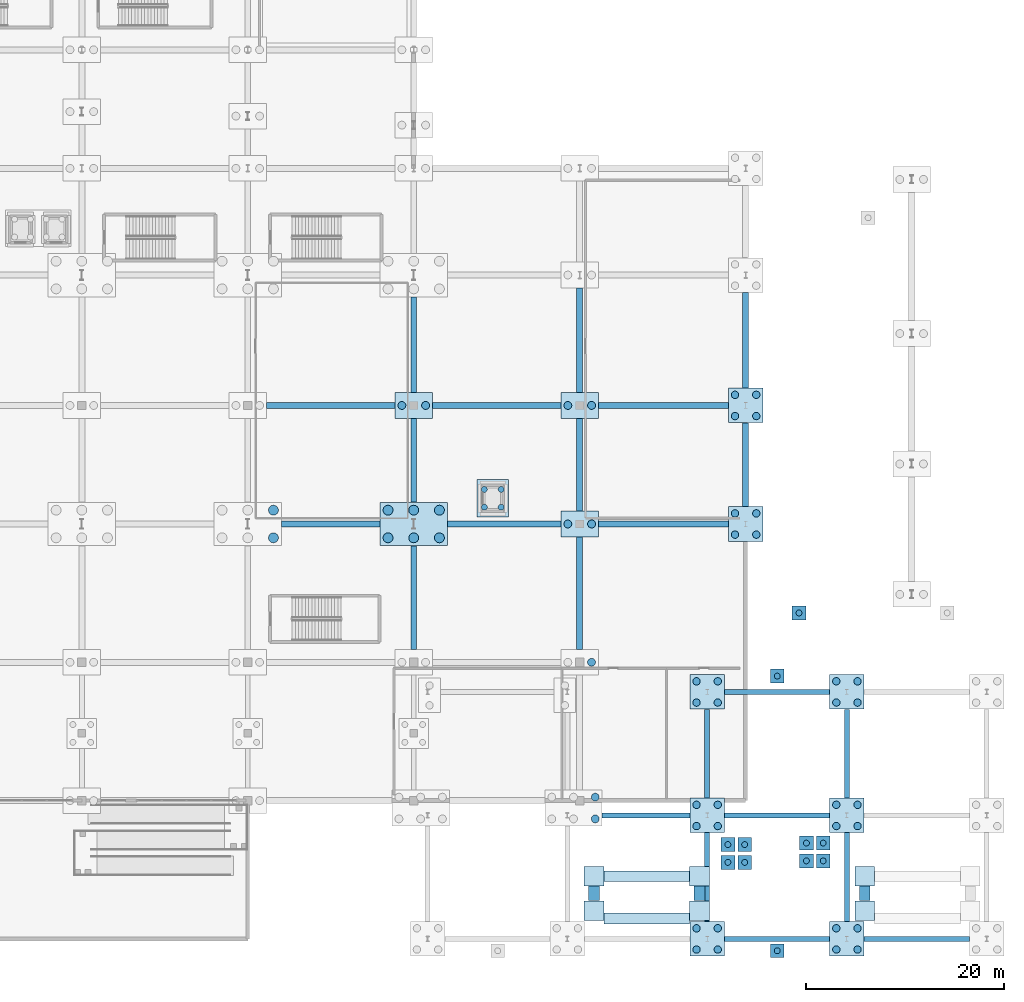
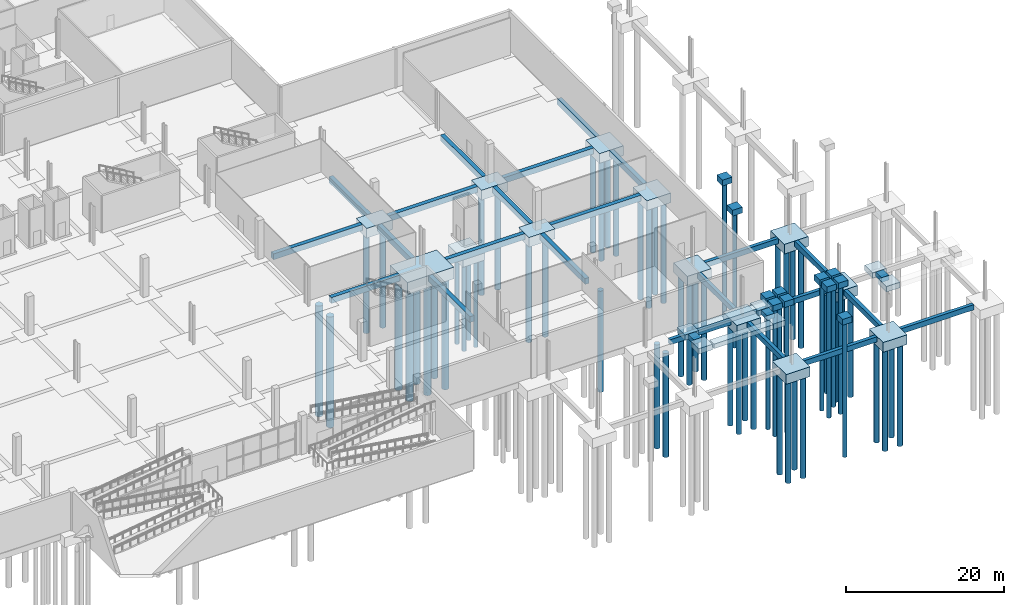
# One storey, part 6 of 46: 64 piles, 58 footings.
"""IFC4 building model written with IfcOpenShell, lengths in metres."""

from ifc_helpers import new_model, si_unit, direction, frame, origin, origin_2d, place, context, subcontext, project, spatial, rectangle, circle, extrude, material, material_profile, profile_set, type_object, element, save


model = new_model("IFC4")

# Units and contexts
model_context = context("Model", 3, precision=1e-05, world=origin(), true_north=direction((0.0, 1.0)))
body_context = subcontext(model_context, "Body", "Model", "MODEL_VIEW")
ifc_project = project(units=[si_unit("LENGTHUNIT", "METRE"), si_unit("AREAUNIT", "SQUARE_METRE"), si_unit("VOLUMEUNIT", "CUBIC_METRE"), si_unit("PLANEANGLEUNIT", "RADIAN"), si_unit("MASSUNIT", "GRAM", prefix="KILO")], contexts=[model_context])

# Site, building, storey
site_placement = place(None, origin())
site = spatial("IfcSite", under=ifc_project, at=site_placement, CompositionType="ELEMENT")
building_placement = place(site_placement, origin())
building = spatial("IfcBuilding", under=site, at=building_placement, Name="Kimbaza Rail Terminus", CompositionType="ELEMENT")
storey_placement = place(building_placement, frame((0.0, 0.0, -6.0)))
storey = spatial("IfcBuildingStorey", under=building, at=storey_placement, Name="B1", CompositionType="ELEMENT", Elevation=-6.0)

# Footings
ifc_material_1 = material(Name="Concrete C40/50", Category="concrete")
ifc_material_profile_1 = material_profile(ifc_material_1, rectangle(XDim=0.60009765625, YDim=0.89990234375, at=origin_2d()), Name="GB-01 600x900")
ifc_profile_set_1 = profile_set([ifc_material_profile_1], Name="Concrete C40/50")
footing_type_1 = type_object("IfcFootingType", Name="STR-GB-01", PredefinedType="FOOTING_BEAM", material=ifc_profile_set_1)
footing_1_placement = place(storey_placement, frame((142.60205078125, 55.0, -0.449951171875), z_axis=(1.0, 0.0, 0.0), x_axis=(0.0, 1.0, 0.0)))
element("IfcFooting", 1, at=footing_1_placement, inside=storey, type_object=footing_type_1, Name="Ground Tie Beam GB-V2X-6-2", PredefinedType="FOOTING_BEAM", context=body_context, shape_type="SweptSolid", body=[
    extrude(rectangle(XDim=0.60009765625, YDim=0.89990234375, at=origin_2d()), origin(), (0.0, 0.0, 1.0), 9.995849609375),
])
footing_2_placement = place(storey_placement, frame((141.10205078125, 67.0, -0.449951171875), z_axis=(1.0, 0.0, 0.0), x_axis=(0.0, 1.0, 0.0)))
element("IfcFooting", 2, at=footing_2_placement, inside=storey, type_object=footing_type_1, Name="Ground Tie Beam GB-V2X-6-3", PredefinedType="FOOTING_BEAM", context=body_context, shape_type="SweptSolid", body=[
    extrude(rectangle(XDim=0.60009765625, YDim=0.89990234375, at=origin_2d()), origin(), (0.0, 0.0, 1.0), 12.995849609375),
])
footing_3_placement = place(storey_placement, frame((156.0, 42.302001953125, -0.449951171875), z_axis=(0.0, 1.0, 0.0), x_axis=(-1.0, 0.0, 0.0)))
element("IfcFooting", 3, at=footing_3_placement, inside=storey, type_object=footing_type_1, Name="Ground Tie Beam GB-V2Y-7-1", PredefinedType="FOOTING_BEAM", context=body_context, shape_type="SweptSolid", body=[
    extrude(rectangle(XDim=0.60009765625, YDim=0.89990234375, at=origin_2d()), origin(), (0.0, 0.0, 1.0), 10.49609375),
])
footing_4_placement = place(storey_placement, frame((159.402099609375, 55.0, -0.449951171875), z_axis=(1.0, 0.0, 0.0), x_axis=(0.0, 1.0, 0.0)))
element("IfcFooting", 4, at=footing_4_placement, inside=storey, type_object=footing_type_1, Name="Ground Tie Beam GB-V2X-7-2", PredefinedType="FOOTING_BEAM", context=body_context, shape_type="SweptSolid", body=[
    extrude(rectangle(XDim=0.60009765625, YDim=0.89990234375, at=origin_2d()), origin(), (0.0, 0.0, 1.0), 11.495849609375),
])
footing_5_placement = place(storey_placement, frame((156.0, 57.201904296875, -0.449951171875), z_axis=(0.0, 1.0, 0.0), x_axis=(-1.0, 0.0, 0.0)))
element("IfcFooting", 5, at=footing_5_placement, inside=storey, type_object=footing_type_1, Name="Ground Tie Beam GB-V2Y-7-2", PredefinedType="FOOTING_BEAM", context=body_context, shape_type="SweptSolid", body=[
    extrude(rectangle(XDim=0.60009765625, YDim=0.89990234375, at=origin_2d()), origin(), (0.0, 0.0, 1.0), 8.49609375),
])
footing_6_placement = place(storey_placement, frame((157.902099609375, 67.0, -0.449951171875), z_axis=(1.0, 0.0, 0.0), x_axis=(0.0, 1.0, 0.0)))
element("IfcFooting", 6, at=footing_6_placement, inside=storey, type_object=footing_type_1, Name="Ground Tie Beam GB-V2X-7-3", PredefinedType="FOOTING_BEAM", context=body_context, shape_type="SweptSolid", body=[
    extrude(rectangle(XDim=0.60009765625, YDim=0.89990234375, at=origin_2d()), origin(), (0.0, 0.0, 1.0), 12.995849609375),
])
footing_7_placement = place(storey_placement, frame((156.0, 68.302001953125, -0.449951171875), z_axis=(0.0, 1.0, 0.0), x_axis=(-1.0, 0.0, 0.0)))
element("IfcFooting", 7, at=footing_7_placement, inside=storey, type_object=footing_type_1, Name="Ground Tie Beam GB-V2Y-7-3", PredefinedType="FOOTING_BEAM", context=body_context, shape_type="SweptSolid", body=[
    extrude(rectangle(XDim=0.60009765625, YDim=0.89990234375, at=origin_2d()), origin(), (0.0, 0.0, 1.0), 9.696044921875),
])
footing_8_placement = place(storey_placement, frame((172.800048828125, 42.302001953125, -0.449951171875), z_axis=(0.0, 1.0, 0.0), x_axis=(-1.0, 0.0, 0.0)))
element("IfcFooting", 8, at=footing_8_placement, inside=storey, type_object=footing_type_1, Name="Ground Tie Beam GB-V2Y-8-1", PredefinedType="FOOTING_BEAM", context=body_context, shape_type="SweptSolid", body=[
    extrude(rectangle(XDim=0.60009765625, YDim=0.89990234375, at=origin_2d()), origin(), (0.0, 0.0, 1.0), 11.39599609375),
])
footing_9_placement = place(storey_placement, frame((174.701904296875, 55.0, -0.449951171875), z_axis=(1.0, 0.0, 0.0), x_axis=(0.0, 1.0, 0.0)))
element("IfcFooting", 9, at=footing_9_placement, inside=storey, type_object=footing_type_1, Name="Ground Tie Beam GB-V2X-8-2", PredefinedType="FOOTING_BEAM", context=body_context, shape_type="SweptSolid", body=[
    extrude(rectangle(XDim=0.60009765625, YDim=0.89990234375, at=origin_2d()), origin(), (0.0, 0.0, 1.0), 13.14599609375),
])
footing_10_placement = place(storey_placement, frame((172.800048828125, 56.302001953125, -0.449951171875), z_axis=(0.0, 1.0, 0.0), x_axis=(-1.0, 0.0, 0.0)))
element("IfcFooting", 10, at=footing_10_placement, inside=storey, type_object=footing_type_1, Name="Ground Tie Beam GB-V2Y-8-2", PredefinedType="FOOTING_BEAM", context=body_context, shape_type="SweptSolid", body=[
    extrude(rectangle(XDim=0.60009765625, YDim=0.89990234375, at=origin_2d()), origin(), (0.0, 0.0, 1.0), 9.39599609375),
])
footing_11_placement = place(storey_placement, frame((174.701904296875, 67.0, -0.449951171875), z_axis=(1.0, 0.0, 0.0), x_axis=(0.0, 1.0, 0.0)))
element("IfcFooting", 11, at=footing_11_placement, inside=storey, type_object=footing_type_1, Name="Ground Tie Beam GB-V2X-8-3", PredefinedType="FOOTING_BEAM", context=body_context, shape_type="SweptSolid", body=[
    extrude(rectangle(XDim=0.60009765625, YDim=0.89990234375, at=origin_2d()), origin(), (0.0, 0.0, 1.0), 13.14599609375),
])
footing_12_placement = place(storey_placement, frame((172.800048828125, 68.302001953125, -0.449951171875), z_axis=(0.0, 1.0, 0.0), x_axis=(-1.0, 0.0, 0.0)))
element("IfcFooting", 12, at=footing_12_placement, inside=storey, type_object=footing_type_1, Name="Ground Tie Beam GB-V2Y-8-3", PredefinedType="FOOTING_BEAM", context=body_context, shape_type="SweptSolid", body=[
    extrude(rectangle(XDim=0.60009765625, YDim=0.89990234375, at=origin_2d()), origin(), (0.0, 0.0, 1.0), 10.595947265625),
])
footing_13_placement = place(storey_placement, frame((189.60009765625, 56.751953125, -0.449951171875), z_axis=(0.0, 1.0, 0.0), x_axis=(-1.0, 0.0, 0.0)))
element("IfcFooting", 13, at=footing_13_placement, inside=storey, type_object=footing_type_1, Name="Ground Tie Beam GB-V2Y-9-2", PredefinedType="FOOTING_BEAM", context=body_context, shape_type="SweptSolid", body=[
    extrude(rectangle(XDim=0.60009765625, YDim=0.89990234375, at=origin_2d()), origin(), (0.0, 0.0, 1.0), 8.49609375),
])
footing_14_placement = place(storey_placement, frame((189.60009765625, 68.751953125, -0.449951171875), z_axis=(0.0, 1.0, 0.0), x_axis=(-1.0, 0.0, 0.0)))
element("IfcFooting", 14, at=footing_14_placement, inside=storey, type_object=footing_type_1, Name="Ground Tie Beam GB-V2Y-9-3", PredefinedType="FOOTING_BEAM", context=body_context, shape_type="SweptSolid", body=[
    extrude(rectangle(XDim=0.60009765625, YDim=0.89990234375, at=origin_2d()), origin(), (0.0, 0.0, 1.0), 9.696044921875),
])
ifc_material_2 = material(Name="Concrete C40/50", Category="concrete")
ifc_material_profile_2 = material_profile(ifc_material_2, rectangle(XDim=0.5, YDim=0.800048828125, at=origin_2d()), Name="GB-02 500x800")
ifc_profile_set_2 = profile_set([ifc_material_profile_2], Name="Concrete C40/50")
footing_type_2 = type_object("IfcFootingType", Name="STR-GB-02", PredefinedType="FOOTING_BEAM", material=ifc_profile_set_2)
footing_15_placement = place(storey_placement, frame((175.076904296875, 25.5, -0.39990234375), z_axis=(1.0, 0.0, 0.0), x_axis=(0.0, 1.0, 0.0)))
element("IfcFooting", 15, at=footing_15_placement, inside=storey, type_object=footing_type_2, Name="Ground Tie Beam GB-V4X-1-1", PredefinedType="FOOTING_BEAM", context=body_context, shape_type="SweptSolid", body=[
    extrude(rectangle(XDim=0.5, YDim=0.800048828125, at=origin_2d()), origin(), (0.0, 0.0, 1.0), 8.87109375),
])
footing_16_placement = place(storey_placement, frame((187.451904296875, 13.0, -0.39990234375), z_axis=(1.0, 0.0, 0.0), x_axis=(0.0, 1.0, 0.0)))
element("IfcFooting", 16, at=footing_16_placement, inside=storey, type_object=footing_type_2, Name="Ground Tie Beam GB-V4X-2-0", PredefinedType="FOOTING_BEAM", context=body_context, shape_type="SweptSolid", body=[
    extrude(rectangle(XDim=0.5, YDim=0.800048828125, at=origin_2d()), origin(), (0.0, 0.0, 1.0), 10.64599609375),
])
footing_17_placement = place(storey_placement, frame((185.699951171875, 14.751953125, -0.39990234375), z_axis=(0.0, 1.0, 0.0), x_axis=(-1.0, 0.0, 0.0)))
element("IfcFooting", 17, at=footing_17_placement, inside=storey, type_object=footing_type_2, Name="Ground Tie Beam GB-V4Y-2-0", PredefinedType="FOOTING_BEAM", context=body_context, shape_type="SweptSolid", body=[
    extrude(rectangle(XDim=0.5, YDim=0.800048828125, at=origin_2d()), origin(), (0.0, 0.0, 1.0), 8.99609375),
])
footing_18_placement = place(storey_placement, frame((187.451904296875, 25.5, -0.39990234375), z_axis=(1.0, 0.0, 0.0), x_axis=(0.0, 1.0, 0.0)))
element("IfcFooting", 18, at=footing_18_placement, inside=storey, type_object=footing_type_2, Name="Ground Tie Beam GB-V4X-2-1", PredefinedType="FOOTING_BEAM", context=body_context, shape_type="SweptSolid", body=[
    extrude(rectangle(XDim=0.5, YDim=0.800048828125, at=origin_2d()), origin(), (0.0, 0.0, 1.0), 10.64599609375),
])
footing_19_placement = place(storey_placement, frame((185.699951171875, 27.251953125, -0.39990234375), z_axis=(0.0, 1.0, 0.0), x_axis=(-1.0, 0.0, 0.0)))
element("IfcFooting", 19, at=footing_19_placement, inside=storey, type_object=footing_type_2, Name="Ground Tie Beam GB-V4Y-2-1", PredefinedType="FOOTING_BEAM", context=body_context, shape_type="SweptSolid", body=[
    extrude(rectangle(XDim=0.5, YDim=0.800048828125, at=origin_2d()), origin(), (0.0, 0.0, 1.0), 8.99609375),
])
for number, where, z_axis, x_axis, name in (
    (20, (187.451904296875, 38.0, -0.39990234375), (1.0, 0.0, 0.0), (0.0, 1.0, 0.0), "Ground Tie Beam GB-V4X-2-2"),
    (21, (201.60205078125, 13.0, -0.39990234375), (1.0, 0.0, 0.0), (0.0, 1.0, 0.0), "Ground Tie Beam GB-V4X-3-0"),
):
    element("IfcFooting", number, at=place(storey_placement, frame(where, z_axis=z_axis, x_axis=x_axis)), inside=storey, type_object=footing_type_2, Name=name, PredefinedType="FOOTING_BEAM", context=body_context, shape_type="SweptSolid", body=[
        extrude(rectangle(XDim=0.5, YDim=0.800048828125, at=origin_2d()), origin(), (0.0, 0.0, 1.0), 10.64599609375),
    ])
for number, where, z_axis, x_axis, name in (
    (22, (199.85009765625, 14.751953125, -0.39990234375), (0.0, 1.0, 0.0), (-1.0, 0.0, 0.0), "Ground Tie Beam GB-V4Y-3-0"),
    (23, (199.85009765625, 27.251953125, -0.39990234375), (0.0, 1.0, 0.0), (-1.0, 0.0, 0.0), "Ground Tie Beam GB-V4Y-3-1"),
):
    element("IfcFooting", number, at=place(storey_placement, frame(where, z_axis=z_axis, x_axis=x_axis)), inside=storey, type_object=footing_type_2, Name=name, PredefinedType="FOOTING_BEAM", context=body_context, shape_type="SweptSolid", body=[
        extrude(rectangle(XDim=0.5, YDim=0.800048828125, at=origin_2d()), origin(), (0.0, 0.0, 1.0), 8.99609375),
    ])
ifc_material_3 = material(Name="Concrete C40/50", Category="concrete")
footing_type_3 = type_object("IfcFootingType", Name="STR-PC-03", PredefinedType="PILE_CAP", material=ifc_material_3)
for number, where, z_axis, x_axis, name in (
    (24, (189.60009765625, 55.0, -1.5), (0.0, 0.0, 1.0), (1.0, 0.0, 0.0), "Pile Cap PC-03 at (189.6,55.0)"),
    (25, (189.60009765625, 67.0, -1.5), (0.0, 0.0, 1.0), (1.0, 0.0, 0.0), "Pile Cap PC-03 at (189.6,67.0)"),
    (26, (185.699951171875, 13.0, -1.5), (0.0, 0.0, 1.0), (1.0, 0.0, 0.0), "Pile Cap PC-03 at (185.7,13.0)"),
    (27, (185.699951171875, 25.5, -1.5), (0.0, 0.0, 1.0), (1.0, 0.0, 0.0), "Pile Cap PC-03 at (185.7,25.5)"),
    (28, (185.699951171875, 38.0, -1.5), (0.0, 0.0, 1.0), (1.0, 0.0, 0.0), "Pile Cap PC-03 at (185.7,38.0)"),
    (29, (199.85009765625, 13.0, -1.5), (0.0, 0.0, 1.0), (1.0, 0.0, 0.0), "Pile Cap PC-03 at (199.8,13.0)"),
    (30, (199.85009765625, 25.5, -1.5), (0.0, 0.0, 1.0), (1.0, 0.0, 0.0), "Pile Cap PC-03 at (199.8,25.5)"),
    (31, (199.85009765625, 38.0, -1.5), (0.0, 0.0, 1.0), (1.0, 0.0, 0.0), "Pile Cap PC-03 at (199.8,38.0)"),
):
    element("IfcFooting", number, at=place(storey_placement, frame(where, z_axis=z_axis, x_axis=x_axis)), inside=storey, type_object=footing_type_3, Name=name, PredefinedType="PILE_CAP", context=body_context, shape_type="SweptSolid", body=[
        extrude(rectangle(XDim=3.5, YDim=3.5, at=origin_2d()), origin(), (0.0, 0.0, 1.0), 1.5),
    ])
ifc_material_4 = material(Name="Concrete C40/50", Category="concrete")
footing_type_4 = type_object("IfcFootingType", Name="STR-PC-04", PredefinedType="PILE_CAP", material=ifc_material_4)
for number, where, z_axis, x_axis, name in (
    (32, (156.0, 67.0, -1.5), (0.0, 0.0, 1.0), (1.0, 0.0, 0.0), "Pile Cap PC-04 at (156.0,67.0)"),
    (33, (172.800048828125, 55.0, -1.5), (0.0, 0.0, 1.0), (1.0, 0.0, 0.0), "Pile Cap PC-04 at (172.8,55.0)"),
    (34, (172.800048828125, 67.0, -1.5), (0.0, 0.0, 1.0), (1.0, 0.0, 0.0), "Pile Cap PC-04 at (172.8,67.0)"),
):
    element("IfcFooting", number, at=place(storey_placement, frame(where, z_axis=z_axis, x_axis=x_axis)), inside=storey, type_object=footing_type_4, Name=name, PredefinedType="PILE_CAP", context=body_context, shape_type="SweptSolid", body=[
        extrude(rectangle(XDim=3.800048828125, YDim=2.60009765625, at=origin_2d()), origin(), (0.0, 0.0, 1.0), 1.5),
    ])
ifc_material_5 = material(Name="Concrete C40/50", Category="concrete")
footing_type_5 = type_object("IfcFootingType", Name="STR-PC-06", PredefinedType="PILE_CAP", material=ifc_material_5)
footing_20_placement = place(storey_placement, frame((156.0, 55.0, -1.7998046875), z_axis=(0.0, 0.0, 1.0), x_axis=(1.0, 0.0, 0.0)))
element("IfcFooting", 35, at=footing_20_placement, inside=storey, type_object=footing_type_5, Name="Pile Cap PC-06 at (156.0,55.0)", PredefinedType="PILE_CAP", context=body_context, shape_type="SweptSolid", body=[
    extrude(rectangle(XDim=6.800048828125, YDim=4.39990234375, at=origin_2d()), origin(), (0.0, 0.0, 1.0), 1.800048828125),
])
ifc_material_6 = material(Name="Concrete C40/50", Category="concrete")
footing_type_6 = type_object("IfcFootingType", Name="STR-PC-09", PredefinedType="PILE_CAP", material=ifc_material_6)
for number, where, z_axis, x_axis, name in (
    (36, (195.0, 46.0, 4.85009765625), (0.0, 0.0, 1.0), (1.0, 0.0, 0.0), "Pile Cap PC-09 at (195.0,46.0)"),
    (37, (187.800048828125, 20.75, 3.300048828125), (0.0, 0.0, 1.0), (1.0, 0.0, 0.0), "Pile Cap PC-09 at (187.8,20.8)"),
    (38, (189.5, 20.75, 3.300048828125), (0.0, 0.0, 1.0), (1.0, 0.0, 0.0), "Pile Cap PC-09 at (189.5,20.8)"),
    (39, (187.800048828125, 22.550048828125, 3.300048828125), (0.0, 0.0, 1.0), (1.0, 0.0, 0.0), "Pile Cap PC-09 at (187.8,22.6)"),
    (40, (189.5, 22.550048828125, 3.300048828125), (0.0, 0.0, 1.0), (1.0, 0.0, 0.0), "Pile Cap PC-09 at (189.5,22.6)"),
    (41, (195.75, 20.89990234375, 3.300048828125), (0.0, 0.0, 1.0), (1.0, 0.0, 0.0), "Pile Cap PC-09 at (195.8,20.9)"),
    (42, (197.449951171875, 20.89990234375, 3.300048828125), (0.0, 0.0, 1.0), (1.0, 0.0, 0.0), "Pile Cap PC-09 at (197.4,20.9)"),
    (43, (195.75, 22.699951171875, 3.300048828125), (0.0, 0.0, 1.0), (1.0, 0.0, 0.0), "Pile Cap PC-09 at (195.8,22.7)"),
    (44, (197.449951171875, 22.699951171875, 3.300048828125), (0.0, 0.0, 1.0), (1.0, 0.0, 0.0), "Pile Cap PC-09 at (197.4,22.7)"),
    (45, (192.800048828125, 11.800048828125, 4.85009765625), (0.0, 0.0, 1.0), (1.0, 0.0, 0.0), "Pavilion Apron Pile Cap 2"),
    (46, (192.800048828125, 39.60009765625, 4.85009765625), (0.0, 0.0, 1.0), (1.0, 0.0, 0.0), "Pavilion Apron Pile Cap 3"),
):
    element("IfcFooting", number, at=place(storey_placement, frame(where, z_axis=z_axis, x_axis=x_axis)), inside=storey, type_object=footing_type_6, Name=name, PredefinedType="PILE_CAP", context=body_context, shape_type="SweptSolid", body=[
        extrude(rectangle(XDim=1.39990234375, YDim=1.39990234375, at=origin_2d()), origin(), (0.0, 0.0, 1.0), 0.89990234375),
    ])
ifc_material_7 = material(Name="Concrete C40/50", Category="concrete")
footing_type_7 = type_object("IfcFootingType", Name="STR-PC-11", PredefinedType="PILE_CAP", material=ifc_material_7)
footing_21_placement = place(storey_placement, frame((164.0, 57.60009765625, -2.85009765625), z_axis=(0.0, 0.0, 1.0), x_axis=(1.0, 0.0, 0.0)))
element("IfcFooting", 47, at=footing_21_placement, inside=storey, type_object=footing_type_7, Name="Pile Cap PC-11 at (164.0,57.6)", PredefinedType="PILE_CAP", context=body_context, shape_type="SweptSolid", body=[
    extrude(rectangle(XDim=3.199951171875, YDim=3.800048828125, at=origin_2d()), origin(), (0.0, 0.0, 1.0), 1.199951171875),
])
ifc_material_8 = material(Name="Concrete C40/50", Category="concrete")
footing_type_8 = type_object("IfcFootingType", Name="STR-PF-01", PredefinedType="PAD_FOOTING", material=ifc_material_8)
for number, where, z_axis, x_axis, name in (
    (48, (174.260009765625, 15.860107421875, 4.699951171875), (0.0, 0.0, 1.0), (1.0, 0.0, 0.0), "Retail Pavilion West Stair Corner Pad Footing 1"),
    (49, (184.93994140625, 15.860107421875, 4.699951171875), (0.0, 0.0, 1.0), (1.0, 0.0, 0.0), "Retail Pavilion West Stair Corner Pad Footing 2"),
    (50, (184.93994140625, 19.340087890625, 4.699951171875), (0.0, 0.0, 1.0), (1.0, 0.0, 0.0), "Retail Pavilion West Stair Corner Pad Footing 3"),
    (51, (174.260009765625, 19.340087890625, 4.699951171875), (0.0, 0.0, 1.0), (1.0, 0.0, 0.0), "Retail Pavilion West Stair Corner Pad Footing 4"),
    (52, (201.659912109375, 15.860107421875, 4.699951171875), (0.0, 0.0, 1.0), (1.0, 0.0, 0.0), "Retail Pavilion East Stair Corner Pad Footing 1"),
    (53, (201.659912109375, 19.340087890625, 4.699951171875), (0.0, 0.0, 1.0), (1.0, 0.0, 0.0), "Retail Pavilion East Stair Corner Pad Footing 4"),
):
    element("IfcFooting", number, at=place(storey_placement, frame(where, z_axis=z_axis, x_axis=x_axis)), inside=storey, type_object=footing_type_8, Name=name, PredefinedType="PAD_FOOTING", context=body_context, shape_type="SweptSolid", body=[
        extrude(rectangle(XDim=2.0, YDim=2.0, at=origin_2d()), origin(), (0.0, 0.0, 1.0), 0.85009765625),
    ])

# Piles
ifc_material_9 = material(Name="Concrete C35/45", Category="concrete")
ifc_material_profile_3 = material_profile(ifc_material_9, circle(Radius=0.5, at=origin_2d()), Name="BORED PILE 1000")
ifc_profile_set_3 = profile_set([ifc_material_profile_3], Name="Concrete C35/45")
pile_type_1 = type_object("IfcPileType", Name="STR-PILE-1000", PredefinedType="BORED", material=ifc_profile_set_3)
for number, where, z_axis, x_axis, name in (
    (54, (141.800048828125, 53.60009765625, -1.699951171875), (0.0, 0.0, -1.0), (1.0, 0.0, 0.0), "Bored Pile 1000 #3"),
    (55, (141.800048828125, 56.39990234375, -1.699951171875), (0.0, 0.0, -1.0), (1.0, 0.0, 0.0), "Bored Pile 1000 #6"),
    (56, (153.39990234375, 53.60009765625, -1.699951171875), (0.0, 0.0, -1.0), (1.0, 0.0, 0.0), "Bored Pile 1000 #1"),
    (57, (156.0, 53.60009765625, -1.699951171875), (0.0, 0.0, -1.0), (1.0, 0.0, 0.0), "Bored Pile 1000 #2"),
    (58, (158.60009765625, 53.60009765625, -1.699951171875), (0.0, 0.0, -1.0), (1.0, 0.0, 0.0), "Bored Pile 1000 #3"),
    (59, (153.39990234375, 56.39990234375, -1.699951171875), (0.0, 0.0, -1.0), (1.0, 0.0, 0.0), "Bored Pile 1000 #4"),
    (60, (156.0, 56.39990234375, -1.699951171875), (0.0, 0.0, -1.0), (1.0, 0.0, 0.0), "Bored Pile 1000 #5"),
    (61, (158.60009765625, 56.39990234375, -1.699951171875), (0.0, 0.0, -1.0), (1.0, 0.0, 0.0), "Bored Pile 1000 #6"),
):
    element("IfcPile", number, at=place(storey_placement, frame(where, z_axis=z_axis, x_axis=x_axis)), inside=storey, type_object=pile_type_1, Name=name, PredefinedType="BORED", context=body_context, shape_type="SweptSolid", body=[
        extrude(circle(Radius=0.5, at=origin_2d()), origin(), (0.0, 0.0, 1.0), 17.10009765625),
    ])
ifc_material_10 = material(Name="Concrete C35/45", Category="concrete")
ifc_material_profile_4 = material_profile(ifc_material_10, circle(Radius=0.300048828125, at=origin_2d()), Name="BORED PILE 600")
ifc_profile_set_4 = profile_set([ifc_material_profile_4], Name="Concrete C35/45")
pile_type_2 = type_object("IfcPileType", Name="STR-PILE-600", PredefinedType="BORED", material=ifc_profile_set_4)
for number, where, z_axis, x_axis, name in (
    (62, (163.14990234375, 56.699951171875, -2.75), (0.0, 0.0, -1.0), (1.0, 0.0, 0.0), "Bored Pile 600 #1"),
    (63, (164.85009765625, 56.699951171875, -2.75), (0.0, 0.0, -1.0), (1.0, 0.0, 0.0), "Bored Pile 600 #2"),
    (64, (163.14990234375, 58.5, -2.75), (0.0, 0.0, -1.0), (1.0, 0.0, 0.0), "Bored Pile 600 #3"),
    (65, (164.85009765625, 58.5, -2.75), (0.0, 0.0, -1.0), (1.0, 0.0, 0.0), "Bored Pile 600 #4"),
):
    element("IfcPile", number, at=place(storey_placement, frame(where, z_axis=z_axis, x_axis=x_axis)), inside=storey, type_object=pile_type_2, Name=name, PredefinedType="BORED", context=body_context, shape_type="SweptSolid", body=[
        extrude(circle(Radius=0.300048828125, at=origin_2d()), origin(), (0.0, 0.0, 1.0), 13.75),
    ])
pile_placement = place(storey_placement, frame((195.0, 46.0, 4.949951171875), z_axis=(0.0, 0.0, -1.0), x_axis=(1.0, 0.0, 0.0)))
element("IfcPile", 66, at=pile_placement, inside=storey, type_object=pile_type_2, Name="Bored Pile 600 #1", PredefinedType="BORED", context=body_context, shape_type="SweptSolid", body=[
    extrude(circle(Radius=0.300048828125, at=origin_2d()), origin(), (0.0, 0.0, 1.0), 20.949951171875),
])
for number, where, z_axis, x_axis, name in (
    (67, (187.800048828125, 20.75, 3.39990234375), (0.0, 0.0, -1.0), (1.0, 0.0, 0.0), "Bored Pile 600 #1"),
    (68, (189.5, 20.75, 3.39990234375), (0.0, 0.0, -1.0), (1.0, 0.0, 0.0), "Bored Pile 600 #1"),
    (69, (187.800048828125, 22.550048828125, 3.39990234375), (0.0, 0.0, -1.0), (1.0, 0.0, 0.0), "Bored Pile 600 #1"),
    (70, (189.5, 22.550048828125, 3.39990234375), (0.0, 0.0, -1.0), (1.0, 0.0, 0.0), "Bored Pile 600 #1"),
    (71, (195.75, 20.89990234375, 3.39990234375), (0.0, 0.0, -1.0), (1.0, 0.0, 0.0), "Bored Pile 600 #1"),
    (72, (197.449951171875, 20.89990234375, 3.39990234375), (0.0, 0.0, -1.0), (1.0, 0.0, 0.0), "Bored Pile 600 #1"),
    (73, (195.75, 22.699951171875, 3.39990234375), (0.0, 0.0, -1.0), (1.0, 0.0, 0.0), "Bored Pile 600 #1"),
    (74, (197.449951171875, 22.699951171875, 3.39990234375), (0.0, 0.0, -1.0), (1.0, 0.0, 0.0), "Bored Pile 600 #1"),
):
    element("IfcPile", number, at=place(storey_placement, frame(where, z_axis=z_axis, x_axis=x_axis)), inside=storey, type_object=pile_type_2, Name=name, PredefinedType="BORED", context=body_context, shape_type="SweptSolid", body=[
        extrude(circle(Radius=0.300048828125, at=origin_2d()), origin(), (0.0, 0.0, 1.0), 19.89990234375),
    ])
for number, where, z_axis, x_axis, name in (
    (75, (192.800048828125, 11.800048828125, 4.949951171875), (0.0, 0.0, -1.0), (1.0, 0.0, 0.0), "Pavilion Apron Pile 2"),
    (76, (192.800048828125, 39.60009765625, 4.949951171875), (0.0, 0.0, -1.0), (1.0, 0.0, 0.0), "Pavilion Apron Pile 3"),
):
    element("IfcPile", number, at=place(storey_placement, frame(where, z_axis=z_axis, x_axis=x_axis)), inside=storey, type_object=pile_type_2, Name=name, PredefinedType="BORED", context=body_context, shape_type="SweptSolid", body=[
        extrude(circle(Radius=0.300048828125, at=origin_2d()), origin(), (0.0, 0.0, 1.0), 20.949951171875),
    ])
ifc_material_11 = material(Name="Concrete C35/45", Category="concrete")
ifc_material_profile_5 = material_profile(ifc_material_11, circle(Radius=0.375, at=origin_2d()), Name="BORED PILE 750")
ifc_profile_set_5 = profile_set([ifc_material_profile_5], Name="Concrete C35/45")
pile_type_3 = type_object("IfcPileType", Name="STR-PILE-750", PredefinedType="BORED", material=ifc_profile_set_5)
for number, where, z_axis, x_axis, name in (
    (77, (188.52490234375, 53.925048828125, -1.39990234375), (0.0, 0.0, -1.0), (1.0, 0.0, 0.0), "Bored Pile 750 #1"),
    (78, (190.675048828125, 53.925048828125, -1.39990234375), (0.0, 0.0, -1.0), (1.0, 0.0, 0.0), "Bored Pile 750 #2"),
    (79, (188.52490234375, 56.074951171875, -1.39990234375), (0.0, 0.0, -1.0), (1.0, 0.0, 0.0), "Bored Pile 750 #3"),
    (80, (190.675048828125, 56.074951171875, -1.39990234375), (0.0, 0.0, -1.0), (1.0, 0.0, 0.0), "Bored Pile 750 #4"),
    (81, (188.52490234375, 65.925048828125, -1.39990234375), (0.0, 0.0, -1.0), (1.0, 0.0, 0.0), "Bored Pile 750 #1"),
    (82, (190.675048828125, 65.925048828125, -1.39990234375), (0.0, 0.0, -1.0), (1.0, 0.0, 0.0), "Bored Pile 750 #2"),
    (83, (188.52490234375, 68.074951171875, -1.39990234375), (0.0, 0.0, -1.0), (1.0, 0.0, 0.0), "Bored Pile 750 #3"),
    (84, (190.675048828125, 68.074951171875, -1.39990234375), (0.0, 0.0, -1.0), (1.0, 0.0, 0.0), "Bored Pile 750 #4"),
):
    element("IfcPile", number, at=place(storey_placement, frame(where, z_axis=z_axis, x_axis=x_axis)), inside=storey, type_object=pile_type_3, Name=name, PredefinedType="BORED", context=body_context, shape_type="SweptSolid", body=[
        extrude(circle(Radius=0.375, at=origin_2d()), origin(), (0.0, 0.0, 1.0), 15.60009765625),
    ])
for number, where, z_axis, x_axis, name in (
    (85, (184.625, 11.925048828125, -1.39990234375), (0.0, 0.0, -1.0), (1.0, 0.0, 0.0), "Bored Pile 750 #1"),
    (86, (186.77490234375, 11.925048828125, -1.39990234375), (0.0, 0.0, -1.0), (1.0, 0.0, 0.0), "Bored Pile 750 #2"),
    (87, (184.625, 14.074951171875, -1.39990234375), (0.0, 0.0, -1.0), (1.0, 0.0, 0.0), "Bored Pile 750 #3"),
    (88, (186.77490234375, 14.074951171875, -1.39990234375), (0.0, 0.0, -1.0), (1.0, 0.0, 0.0), "Bored Pile 750 #4"),
    (89, (184.625, 24.425048828125, -1.39990234375), (0.0, 0.0, -1.0), (1.0, 0.0, 0.0), "Bored Pile 750 #1"),
    (90, (186.77490234375, 24.425048828125, -1.39990234375), (0.0, 0.0, -1.0), (1.0, 0.0, 0.0), "Bored Pile 750 #2"),
    (91, (184.625, 26.574951171875, -1.39990234375), (0.0, 0.0, -1.0), (1.0, 0.0, 0.0), "Bored Pile 750 #3"),
    (92, (186.77490234375, 26.574951171875, -1.39990234375), (0.0, 0.0, -1.0), (1.0, 0.0, 0.0), "Bored Pile 750 #4"),
    (93, (184.625, 36.925048828125, -1.39990234375), (0.0, 0.0, -1.0), (1.0, 0.0, 0.0), "Bored Pile 750 #1"),
    (94, (186.77490234375, 36.925048828125, -1.39990234375), (0.0, 0.0, -1.0), (1.0, 0.0, 0.0), "Bored Pile 750 #2"),
    (95, (184.625, 39.074951171875, -1.39990234375), (0.0, 0.0, -1.0), (1.0, 0.0, 0.0), "Bored Pile 750 #3"),
    (96, (186.77490234375, 39.074951171875, -1.39990234375), (0.0, 0.0, -1.0), (1.0, 0.0, 0.0), "Bored Pile 750 #4"),
    (97, (198.77490234375, 11.925048828125, -1.39990234375), (0.0, 0.0, -1.0), (1.0, 0.0, 0.0), "Bored Pile 750 #1"),
    (98, (200.925048828125, 11.925048828125, -1.39990234375), (0.0, 0.0, -1.0), (1.0, 0.0, 0.0), "Bored Pile 750 #2"),
    (99, (198.77490234375, 14.074951171875, -1.39990234375), (0.0, 0.0, -1.0), (1.0, 0.0, 0.0), "Bored Pile 750 #3"),
    (100, (200.925048828125, 14.074951171875, -1.39990234375), (0.0, 0.0, -1.0), (1.0, 0.0, 0.0), "Bored Pile 750 #4"),
    (101, (198.77490234375, 24.425048828125, -1.39990234375), (0.0, 0.0, -1.0), (1.0, 0.0, 0.0), "Bored Pile 750 #1"),
    (102, (200.925048828125, 24.425048828125, -1.39990234375), (0.0, 0.0, -1.0), (1.0, 0.0, 0.0), "Bored Pile 750 #2"),
    (103, (198.77490234375, 26.574951171875, -1.39990234375), (0.0, 0.0, -1.0), (1.0, 0.0, 0.0), "Bored Pile 750 #3"),
    (104, (200.925048828125, 26.574951171875, -1.39990234375), (0.0, 0.0, -1.0), (1.0, 0.0, 0.0), "Bored Pile 750 #4"),
    (105, (198.77490234375, 36.925048828125, -1.39990234375), (0.0, 0.0, -1.0), (1.0, 0.0, 0.0), "Bored Pile 750 #1"),
    (106, (200.925048828125, 36.925048828125, -1.39990234375), (0.0, 0.0, -1.0), (1.0, 0.0, 0.0), "Bored Pile 750 #2"),
    (107, (198.77490234375, 39.074951171875, -1.39990234375), (0.0, 0.0, -1.0), (1.0, 0.0, 0.0), "Bored Pile 750 #3"),
    (108, (200.925048828125, 39.074951171875, -1.39990234375), (0.0, 0.0, -1.0), (1.0, 0.0, 0.0), "Bored Pile 750 #4"),
):
    element("IfcPile", number, at=place(storey_placement, frame(where, z_axis=z_axis, x_axis=x_axis)), inside=storey, type_object=pile_type_3, Name=name, PredefinedType="BORED", context=body_context, shape_type="SweptSolid", body=[
        extrude(circle(Radius=0.375, at=origin_2d()), origin(), (0.0, 0.0, 1.0), 15.800048828125),
    ])
ifc_material_12 = material(Name="Concrete C35/45", Category="concrete")
ifc_material_profile_6 = material_profile(ifc_material_12, circle(Radius=0.39990234375, at=origin_2d()), Name="BORED PILE 800")
ifc_profile_set_6 = profile_set([ifc_material_profile_6], Name="Concrete C35/45")
pile_type_4 = type_object("IfcPileType", Name="STR-PILE-800", PredefinedType="BORED", material=ifc_profile_set_6)
for number, where, z_axis, x_axis, name in (
    (109, (154.800048828125, 67.0, -1.39990234375), (0.0, 0.0, -1.0), (1.0, 0.0, 0.0), "Bored Pile 800 #1"),
    (110, (157.199951171875, 67.0, -1.39990234375), (0.0, 0.0, -1.0), (1.0, 0.0, 0.0), "Bored Pile 800 #2"),
):
    element("IfcPile", number, at=place(storey_placement, frame(where, z_axis=z_axis, x_axis=x_axis)), inside=storey, type_object=pile_type_4, Name=name, PredefinedType="BORED", context=body_context, shape_type="SweptSolid", body=[
        extrude(circle(Radius=0.39990234375, at=origin_2d()), origin(), (0.0, 0.0, 1.0), 15.60009765625),
    ])
for number, where, z_axis, x_axis, name in (
    (111, (174.375, 25.14990234375, -1.550048828125), (0.0, 0.0, -1.0), (1.0, 0.0, 0.0), "Bored Pile 800 #3"),
    (112, (174.375, 27.35009765625, -1.550048828125), (0.0, 0.0, -1.0), (1.0, 0.0, 0.0), "Bored Pile 800 #6"),
):
    element("IfcPile", number, at=place(storey_placement, frame(where, z_axis=z_axis, x_axis=x_axis)), inside=storey, type_object=pile_type_4, Name=name, PredefinedType="BORED", context=body_context, shape_type="SweptSolid", body=[
        extrude(circle(Radius=0.39990234375, at=origin_2d()), origin(), (0.0, 0.0, 1.0), 16.050048828125),
    ])
for number, where, z_axis, x_axis, name in (
    (113, (174.0, 41.0, -1.39990234375), (0.0, 0.0, -1.0), (1.0, 0.0, 0.0), "Bored Pile 800 #2"),
    (114, (171.60009765625, 55.0, -1.39990234375), (0.0, 0.0, -1.0), (1.0, 0.0, 0.0), "Bored Pile 800 #1"),
    (115, (174.0, 55.0, -1.39990234375), (0.0, 0.0, -1.0), (1.0, 0.0, 0.0), "Bored Pile 800 #2"),
    (116, (171.60009765625, 67.0, -1.39990234375), (0.0, 0.0, -1.0), (1.0, 0.0, 0.0), "Bored Pile 800 #1"),
    (117, (174.0, 67.0, -1.39990234375), (0.0, 0.0, -1.0), (1.0, 0.0, 0.0), "Bored Pile 800 #2"),
):
    element("IfcPile", number, at=place(storey_placement, frame(where, z_axis=z_axis, x_axis=x_axis)), inside=storey, type_object=pile_type_4, Name=name, PredefinedType="BORED", context=body_context, shape_type="SweptSolid", body=[
        extrude(circle(Radius=0.39990234375, at=origin_2d()), origin(), (0.0, 0.0, 1.0), 15.60009765625),
    ])

# Footings
ifc_material_13 = material(Name="Concrete C40/50", Category="concrete")
ifc_material_profile_7 = material_profile(ifc_material_13, rectangle(XDim=1.10009765625, YDim=0.699951171875, at=origin_2d()), Name="SF-02 1100x700")
ifc_profile_set_7 = profile_set([ifc_material_profile_7], Name="Concrete C40/50")
footing_type_9 = type_object("IfcFootingType", Name="STR-SF-02", PredefinedType="STRIP_FOOTING", material=ifc_profile_set_7)
footing_22_placement = place(storey_placement, frame((175.264892578125, 15.06005859375, 5.409912109375), z_axis=(1.0, 0.0, 0.0), x_axis=(0.0, 1.0, 0.0)))
element("IfcFooting", 118, at=footing_22_placement, inside=storey, type_object=footing_type_9, Name="Retail Pavilion West Stair Foundation Strip 1", PredefinedType="STRIP_FOOTING", context=body_context, shape_type="SweptSolid", body=[
    extrude(rectangle(XDim=1.10009765625, YDim=0.699951171875, at=origin_2d()), origin(), (0.0, 0.0, 1.0), 8.670166015625),
])
footing_23_placement = place(storey_placement, frame((184.93994140625, 16.864990234375, 5.199951171875), z_axis=(0.0, 1.0, 0.0), x_axis=(-1.0, 0.0, 0.0)))
element("IfcFooting", 119, at=footing_23_placement, inside=storey, type_object=footing_type_9, Name="Retail Pavilion West Stair Foundation Strip 2", PredefinedType="STRIP_FOOTING", context=body_context, shape_type="SweptSolid", body=[
    extrude(rectangle(XDim=1.10009765625, YDim=0.699951171875, at=origin_2d()), origin(), (0.0, 0.0, 1.0), 1.469970703125),
])
footing_24_placement = place(storey_placement, frame((183.93505859375, 19.340087890625, 5.199951171875), z_axis=(-1.0, 0.0, 0.0), x_axis=(0.0, -1.0, 0.0)))
element("IfcFooting", 120, at=footing_24_placement, inside=storey, type_object=footing_type_9, Name="Retail Pavilion West Stair Foundation Strip 3", PredefinedType="STRIP_FOOTING", context=body_context, shape_type="SweptSolid", body=[
    extrude(rectangle(XDim=1.10009765625, YDim=0.699951171875, at=origin_2d()), origin(), (0.0, 0.0, 1.0), 8.670166015625),
])
for number, where, z_axis, x_axis, name in (
    (121, (174.260009765625, 18.3349609375, 5.199951171875), (0.0, -1.0, 0.0), (1.0, 0.0, 0.0), "Retail Pavilion West Stair Foundation Strip 4"),
    (122, (201.659912109375, 18.3349609375, 5.199951171875), (0.0, -1.0, 0.0), (1.0, 0.0, 0.0), "Retail Pavilion East Stair Foundation Strip 4"),
):
    element("IfcFooting", number, at=place(storey_placement, frame(where, z_axis=z_axis, x_axis=x_axis)), inside=storey, type_object=footing_type_9, Name=name, PredefinedType="STRIP_FOOTING", context=body_context, shape_type="SweptSolid", body=[
        extrude(rectangle(XDim=1.10009765625, YDim=0.699951171875, at=origin_2d()), origin(), (0.0, 0.0, 1.0), 1.469970703125),
    ])

save(model, "model.ifc")
